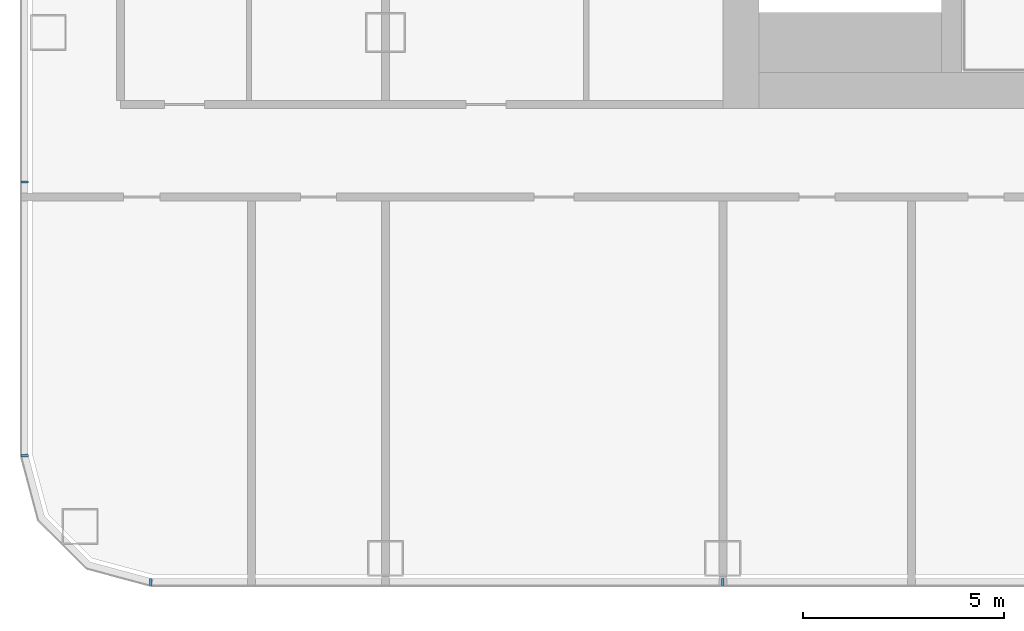
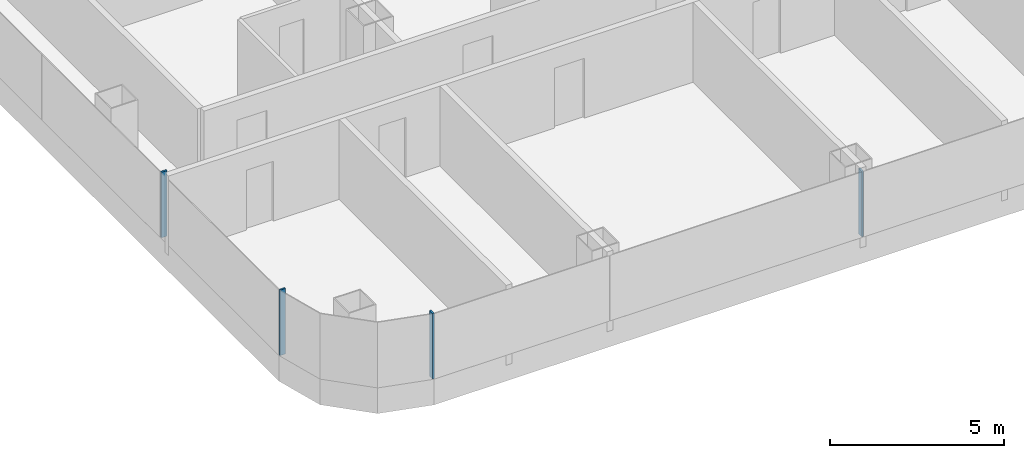
# One storey, part 2 of 28: 4 members, 2 elements without a shape of their own.
"""IFC4 building model written with IfcOpenShell, lengths in metres."""

from ifc_helpers import new_model, si_unit, direction, frame, origin, origin_2d, place, context, subcontext, project, spatial, rectangle, extrude, material, layer, layer_set, material_profile, profile_set, type_object, element, aggregate, save


model = new_model("IFC4")

# Units and contexts
model_context = context("Model", 3, precision=1e-05, world=origin(), true_north=direction((0.0, 1.0)))
body_context = subcontext(model_context, "Body", "Model", "MODEL_VIEW")
ifc_project = project(units=[si_unit("LENGTHUNIT", "METRE"), si_unit("AREAUNIT", "SQUARE_METRE"), si_unit("VOLUMEUNIT", "CUBIC_METRE"), si_unit("PLANEANGLEUNIT", "RADIAN"), si_unit("MASSUNIT", "GRAM", prefix="KILO")], contexts=[model_context])

# Site, building, storey
site_placement = place(None, origin())
site = spatial("IfcSite", under=ifc_project, at=site_placement, CompositionType="ELEMENT")
building_placement = place(site_placement, origin())
building = spatial("IfcBuilding", under=site, at=building_placement, Name="Hakoniwa Tower and Hamabe Station Hall", CompositionType="ELEMENT")
storey_placement = place(building_placement, frame((0.0, 0.0, 48.60009765625)))
storey = spatial("IfcBuildingStorey", under=building, at=storey_placement, Name="L13", CompositionType="ELEMENT", Elevation=48.60009765625)

# Curtain wall, members
ifc_material_1 = material(Name="Dark low-e laminated glass", Category="glass")
ifc_layer = layer(ifc_material_1, 0.199951171875)
ifc_layer_set = layer_set([ifc_layer], Name="CW-1 UNITISED GUEST")
curtain_wall_type = type_object("IfcCurtainWallType", Name="CW-1 UNITISED GUEST", PredefinedType="NOTDEFINED", material=ifc_layer_set)
curtain_wall_1_placement = place(storey_placement, origin())
curtain_wall_1 = element("IfcCurtainWall", 1, at=curtain_wall_1_placement, inside=storey, type_object=curtain_wall_type, Name="CW-1 curtain wall", PredefinedType="NOTDEFINED")
ifc_material_2 = material(Name="Aluminium 6063-T5 black anodised", Category="aluminium")
ifc_material_profile = material_profile(ifc_material_2, rectangle(XDim=0.06005859375, YDim=0.179931640625, at=origin_2d()), Name="CW-1 MULLION 60X180")
ifc_profile_set = profile_set([ifc_material_profile], Name="Aluminium 6063-T5 black anodised")
member_type = type_object("IfcMemberType", Name="CW-1 MULLION 60X180", PredefinedType="MULLION", material=ifc_profile_set)
member_1_placement = place(storey_placement, frame((-50.98193359375, -10.2236328125, 0.349853515625), z_axis=(0.0, 0.0, 1.0), x_axis=(0.0, -1.0, 0.0)))
member_1 = element("IfcMember", 2, at=member_1_placement, type_object=member_type, Name="CW-1 mullion", PredefinedType="MULLION", context=body_context, shape_type="SweptSolid", body=[
    extrude(rectangle(XDim=0.06005859375, YDim=0.179931640625, at=origin_2d()), origin(), (0.0, 0.0, 1.0), 2.300048828125),
])
member_2_placement = place(storey_placement, frame((-50.98193359375, -17.03955078125, 0.349853515625), z_axis=(0.0, 0.0, 1.0), x_axis=(0.0, -1.0, 0.0)))
member_2 = element("IfcMember", 3, at=member_2_placement, type_object=member_type, Name="CW-1 mullion", PredefinedType="MULLION", context=body_context, shape_type="SweptSolid", body=[
    extrude(rectangle(XDim=0.06005859375, YDim=0.179931640625, at=origin_2d()), origin(), (0.0, 0.0, 1.0), 2.300048828125),
])
aggregate(curtain_wall_1, [member_1, member_2])

curtain_wall_2_placement = place(storey_placement, origin())
curtain_wall_2 = element("IfcCurtainWall", 4, at=curtain_wall_2_placement, inside=storey, type_object=curtain_wall_type, Name="CW-1 curtain wall", PredefinedType="NOTDEFINED")
member_3_placement = place(storey_placement, frame((-47.839599609375, -20.181884765625, 0.349853515625), z_axis=(0.0, 0.0, 1.0), x_axis=(1.0, 0.0, 0.0)))
member_3 = element("IfcMember", 5, at=member_3_placement, type_object=member_type, Name="CW-1 mullion", PredefinedType="MULLION", context=body_context, shape_type="SweptSolid", body=[
    extrude(rectangle(XDim=0.06005859375, YDim=0.179931640625, at=origin_2d()), origin(), (0.0, 0.0, 1.0), 2.300048828125),
])
member_4_placement = place(storey_placement, frame((-33.60009765625, -20.181884765625, 0.349853515625), z_axis=(0.0, 0.0, 1.0), x_axis=(1.0, 0.0, 0.0)))
member_4 = element("IfcMember", 6, at=member_4_placement, type_object=member_type, Name="CW-1 mullion", PredefinedType="MULLION", context=body_context, shape_type="SweptSolid", body=[
    extrude(rectangle(XDim=0.06005859375, YDim=0.179931640625, at=origin_2d()), origin(), (0.0, 0.0, 1.0), 2.300048828125),
])
aggregate(curtain_wall_2, [member_3, member_4])

save(model, "model.ifc")
